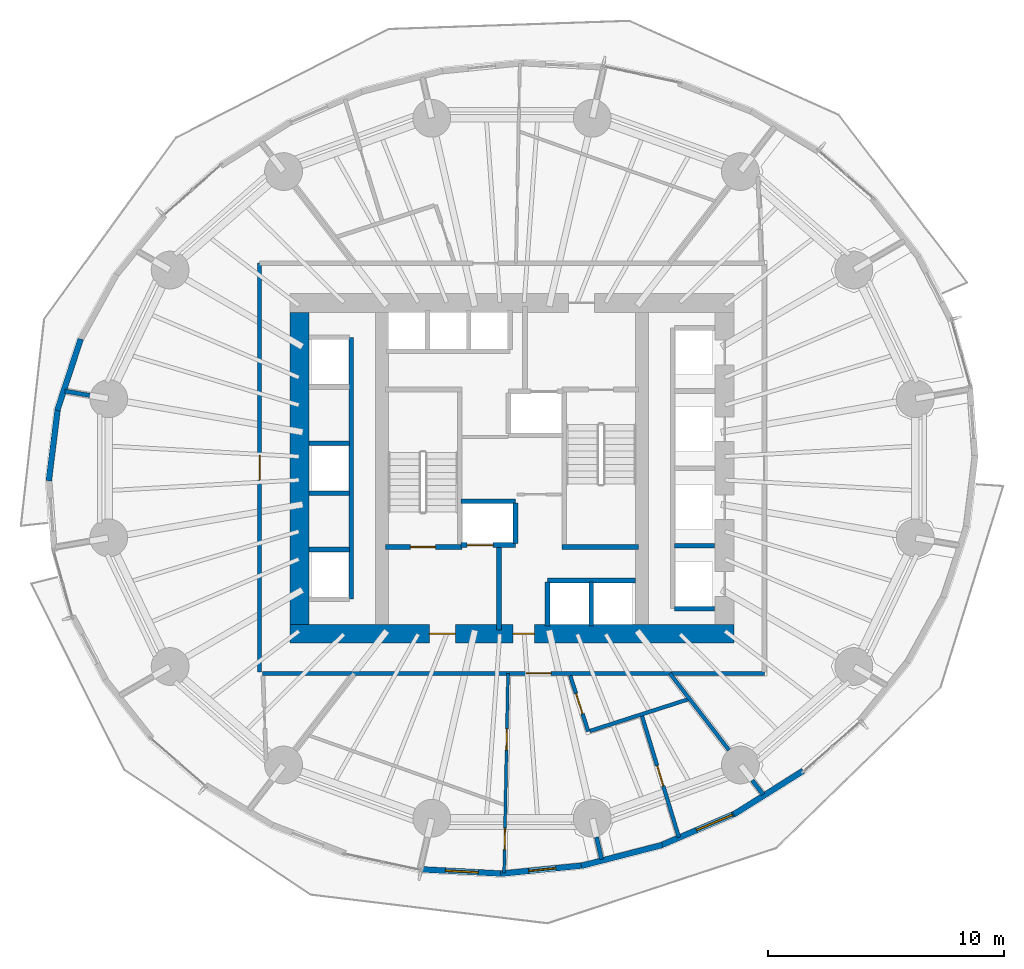
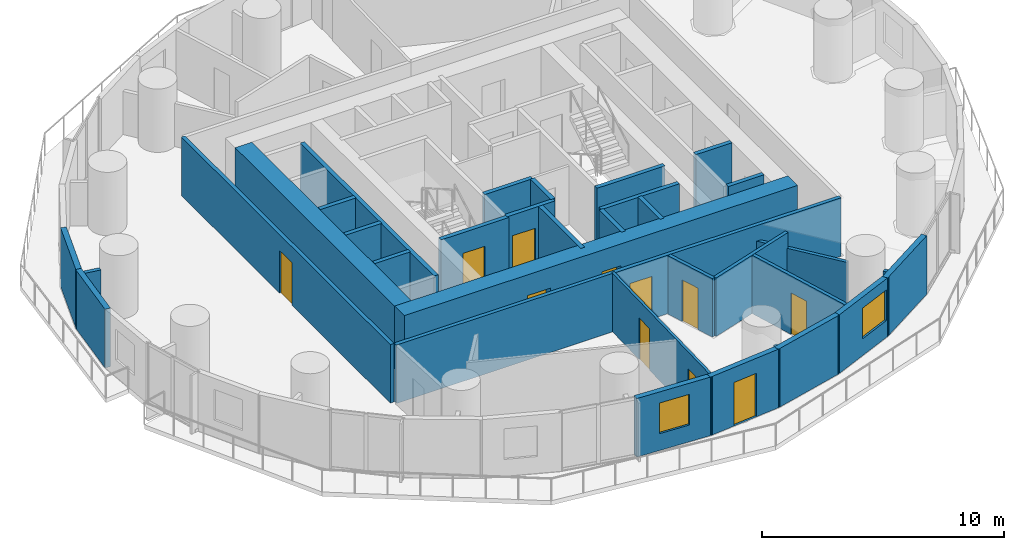
# One storey, part 7 of 13: 34 walls, 11 doors, 2 windows, 13 openings.
"""IFC4 building model written with IfcOpenShell, lengths in metres."""

from ifc_helpers import new_model, si_unit, direction, frame, frame_2d, origin, place, context, subcontext, project, spatial, rectangle, extrude, material, layer, layer_set, type_object, element, fill, save


model = new_model("IFC4")

# Units and contexts
model_context = context("Model", 3, precision=1e-05, world=origin(), true_north=direction((0.0, 1.0)))
body_context = subcontext(model_context, "Body", "Model", "MODEL_VIEW")
ifc_project = project(units=[si_unit("LENGTHUNIT", "METRE"), si_unit("AREAUNIT", "SQUARE_METRE"), si_unit("VOLUMEUNIT", "CUBIC_METRE"), si_unit("PLANEANGLEUNIT", "RADIAN"), si_unit("MASSUNIT", "GRAM", prefix="KILO")], contexts=[model_context])

# Site, building, storey
site_placement = place(None, origin())
site = spatial("IfcSite", under=ifc_project, at=site_placement, CompositionType="ELEMENT")
building_placement = place(site_placement, origin())
building = spatial("IfcBuilding", under=site, at=building_placement, Name="Veldorim Arch Residences", CompositionType="ELEMENT")
storey_placement = place(building_placement, frame((0.0, 0.0, 44.0)))
storey = spatial("IfcBuildingStorey", under=building, at=storey_placement, Name="L12", CompositionType="ELEMENT", Elevation=44.0)

# Wall, openings, doors
ifc_material_1 = material(Name="Acoustic Gypsum Board", Category="gypsum")
ifc_layer_1 = layer(ifc_material_1, 0.125, Name="Acoustic Stud Room Partition Wall 125")
ifc_layer_set_1 = layer_set([ifc_layer_1], Name="Acoustic Gypsum Board")
wall_type_1 = type_object("IfcWallType", Name="Acoustic Stud Room Partition Wall 125", PredefinedType="PARTITIONING", material=ifc_layer_set_1)
wall_1_placement = place(storey_placement, frame((31.6669921875, 6.87060546875, 0.0), z_axis=(0.0, 0.0, 1.0), x_axis=(0.019442133322, 0.999810983862, 0.0)))
wall_1 = element("IfcWall", 1, at=wall_1_placement, inside=storey, type_object=wall_type_1, Name="L12 interior wall WL-RES-L12-008", PredefinedType="PARTITIONING", context=body_context, shape_type="SweptSolid", body=[
    extrude(rectangle(XDim=8.451171875, YDim=0.125, at=frame_2d((4.2255859375, 0.0))), origin(), (0.0, 0.0, 1.0), 2.955078125),
])
opening_1_placement = place(wall_1_placement, frame((0.994384765625, 0.0, 0.0)))
opening_1 = element("IfcOpeningElement", 2, at=opening_1_placement, cuts=wall_1, Name="Opening DR-INT", PredefinedType="OPENING", context=body_context, shape_type="SweptSolid", body=[
    extrude(rectangle(XDim=0.89990234375, YDim=2.10009765625, at=frame_2d((0.449951171875, 1.050048828125))), frame((0.0, 0.072509765625, 0.0), z_axis=(0.0, -1.0, 0.0), x_axis=(1.0, 0.0, 0.0)), (0.0, 0.0, 1.0), 0.14501953125),
])
opening_2_placement = place(wall_1_placement, frame((5.199462890625, 0.0, 0.0)))
opening_2 = element("IfcOpeningElement", 3, at=opening_2_placement, cuts=wall_1, Name="Opening DR-INT", PredefinedType="OPENING", context=body_context, shape_type="SweptSolid", body=[
    extrude(rectangle(XDim=0.89990234375, YDim=2.10009765625, at=frame_2d((0.449951171875, 1.050048828125))), frame((0.0, 0.072509765625, 0.0), z_axis=(0.0, -1.0, 0.0), x_axis=(1.0, 0.0, 0.0)), (0.0, 0.0, 1.0), 0.14501953125),
])
ifc_material_2 = material(Name="Engineered Timber", Category="wood")
door_type_1 = type_object("IfcDoorType", Name="Apartment Internal Room Timber Door 900x2100", OperationType="SINGLE_SWING_LEFT", PredefinedType="DOOR", material=ifc_material_2)
door_1_placement = place(opening_1_placement, origin())
door_1 = element("IfcDoor", 4, at=door_1_placement, inside=storey, type_object=door_type_1, Name="L12 interior door DR-RES-L12-003", OperationType="SINGLE_SWING_LEFT", OverallHeight=2.10009765625, OverallWidth=0.89990234375, PredefinedType="DOOR", context=body_context, shape_type="SweptSolid", body=[
    extrude(rectangle(XDim=0.89990234375, YDim=2.10009765625, at=frame_2d((0.449951171875, 1.050048828125))), frame((0.0, 0.02490234375, 0.0), z_axis=(0.0, -1.0, 0.0), x_axis=(1.0, 0.0, 0.0)), (0.0, 0.0, 1.0), 0.050048828125),
])
fill(opening_1, door_1)
door_2_placement = place(opening_2_placement, origin())
door_2 = element("IfcDoor", 5, at=door_2_placement, inside=storey, type_object=door_type_1, Name="L12 interior door DR-RES-L12-004", OperationType="SINGLE_SWING_RIGHT", OverallHeight=2.10009765625, OverallWidth=0.89990234375, PredefinedType="DOOR", context=body_context, shape_type="SweptSolid", body=[
    extrude(rectangle(XDim=0.89990234375, YDim=2.10009765625, at=frame_2d((0.449951171875, 1.050048828125))), frame((0.0, 0.02490234375, 0.0), z_axis=(0.0, -1.0, 0.0), x_axis=(1.0, 0.0, 0.0)), (0.0, 0.0, 1.0), 0.050048828125),
])
fill(opening_2, door_2)

# Walls
ifc_material_3 = material(Name="Lightweight Masonry Block & Gypsum", Category="masonry")
ifc_layer_2 = layer(ifc_material_3, 0.179931640625, Name="Compartment & Corridor Fire-Rated Party Wall 180")
ifc_layer_set_2 = layer_set([ifc_layer_2], Name="Lightweight Masonry Block & Gypsum")
wall_type_2 = type_object("IfcWallType", Name="Compartment & Corridor Fire-Rated Party Wall 180", PredefinedType="PARTITIONING", material=ifc_layer_set_2)
wall_2_placement = place(storey_placement, frame((14.126220703125, 27.08544921875, 0.0), z_axis=(0.0, 0.0, 1.0), x_axis=(-0.985438853396, 0.170030192076, 0.0)))
element("IfcWall", 6, at=wall_2_placement, inside=storey, type_object=wall_type_2, Name="L12 interior wall WL-PIER-L12-08", PredefinedType="PARTITIONING", context=body_context, shape_type="SweptSolid", body=[
    extrude(rectangle(XDim=1.06103515625, YDim=0.179931640625, at=frame_2d((0.530517578125, 0.0))), origin(), (0.0, 0.0, 1.0), 2.17822265625),
])
wall_3_placement = place(storey_placement, frame((35.577880859375, 8.390869140625, 0.0), z_axis=(0.0, 0.0, 1.0), x_axis=(0.223210471103, -0.974770273239, 0.0)))
element("IfcWall", 7, at=wall_3_placement, inside=storey, type_object=wall_type_2, Name="L12 interior wall WL-PIER-L12-13", PredefinedType="PARTITIONING", context=body_context, shape_type="SweptSolid", body=[
    extrude(rectangle(XDim=0.96240234375, YDim=0.179931640625, at=frame_2d((0.481201171875, 0.0))), origin(), (0.0, 0.0, 1.0), 2.17822265625),
])
wall_4_placement = place(storey_placement, frame((42.167236328125, 10.795166015625, 0.0), z_axis=(0.0, 0.0, 1.0), x_axis=(0.610022678174, -0.792383954982, 0.0)))
element("IfcWall", 8, at=wall_4_placement, inside=storey, type_object=wall_type_2, Name="L12 interior wall WL-PIER-L12-14", PredefinedType="PARTITIONING", context=body_context, shape_type="SweptSolid", body=[
    extrude(rectangle(XDim=0.75634765625, YDim=0.179931640625, at=frame_2d((0.378173828125, 0.0))), origin(), (0.0, 0.0, 1.0), 2.17822265625),
])

# Wall, opening, door
wall_5_placement = place(storey_placement, frame((42.679931640625, 15.320068359375, 0.0), z_axis=(0.0, 0.0, 1.0), x_axis=(-1.0, 0.0, 0.0)))
wall_5 = element("IfcWall", 9, at=wall_5_placement, inside=storey, type_object=wall_type_2, Name="L12 interior wall WL-RES-L12-001", PredefinedType="PARTITIONING", context=body_context, shape_type="SweptSolid", body=[
    extrude(rectangle(XDim=21.240234375, YDim=0.179931640625, at=frame_2d((10.6201171875, 0.0))), origin(), (0.0, 0.0, 1.0), 2.955078125),
])
opening_3_placement = place(wall_5_placement, frame((9.02099609375, 0.0, 0.0)))
opening_3 = element("IfcOpeningElement", 10, at=opening_3_placement, cuts=wall_5, Name="Opening DR-FLT", PredefinedType="OPENING", context=body_context, shape_type="SweptSolid", body=[
    extrude(rectangle(XDim=1.050048828125, YDim=2.14990234375, at=frame_2d((0.52490234375, 1.074951171875))), frame((0.0, 0.099853515625, 0.0), z_axis=(0.0, -1.0, 0.0), x_axis=(1.0, 0.0, 0.0)), (0.0, 0.0, 1.0), 0.199951171875),
])
ifc_material_4 = material(Name="Fire-Rated Timber", Category="wood")
door_type_2 = type_object("IfcDoorType", Name="Apartment Entrance Solid-Core Fire Door 1050x2150", OperationType="SINGLE_SWING_LEFT", PredefinedType="DOOR", material=ifc_material_4)
door_3_placement = place(opening_3_placement, origin())
door_3 = element("IfcDoor", 11, at=door_3_placement, inside=storey, type_object=door_type_2, Name="L12 interior door DR-RES-L12-001", OperationType="SINGLE_SWING_LEFT", OverallHeight=2.14990234375, OverallWidth=1.050048828125, PredefinedType="DOOR", context=body_context, shape_type="SweptSolid", body=[
    extrude(rectangle(XDim=1.050048828125, YDim=2.14990234375, at=frame_2d((0.52490234375, 1.074951171875))), frame((0.0, 0.02490234375, 0.0), z_axis=(0.0, -1.0, 0.0), x_axis=(1.0, 0.0, 0.0)), (0.0, 0.0, 1.0), 0.050048828125),
])
fill(opening_3, door_3)

wall_6_placement = place(storey_placement, frame((21.320068359375, 15.3798828125, 0.0), z_axis=(0.0, 0.0, 1.0), x_axis=(0.0, 1.0, 0.0)))
wall_6 = element("IfcWall", 12, at=wall_6_placement, inside=storey, type_object=wall_type_2, Name="L12 interior wall WL-RES-L12-006", PredefinedType="PARTITIONING", context=body_context, shape_type="SweptSolid", body=[
    extrude(rectangle(XDim=17.300048828125, YDim=0.179931640625, at=frame_2d((8.64990234375, 0.0))), origin(), (0.0, 0.0, 1.0), 2.955078125),
])
opening_4_placement = place(wall_6_placement, frame((8.125, 0.0, 0.0)))
opening_4 = element("IfcOpeningElement", 13, at=opening_4_placement, cuts=wall_6, Name="Opening DR-FLT", PredefinedType="OPENING", context=body_context, shape_type="SweptSolid", body=[
    extrude(rectangle(XDim=1.050048828125, YDim=2.14990234375, at=frame_2d((0.52490234375, 1.074951171875))), frame((0.0, 0.099853515625, 0.0), z_axis=(0.0, -1.0, 0.0), x_axis=(1.0, 0.0, 0.0)), (0.0, 0.0, 1.0), 0.199951171875),
])
door_4_placement = place(opening_4_placement, origin())
door_4 = element("IfcDoor", 14, at=door_4_placement, inside=storey, type_object=door_type_2, Name="L12 interior door DR-RES-L12-013", OperationType="SINGLE_SWING_LEFT", OverallHeight=2.14990234375, OverallWidth=1.050048828125, PredefinedType="DOOR", context=body_context, shape_type="SweptSolid", body=[
    extrude(rectangle(XDim=1.050048828125, YDim=2.14990234375, at=frame_2d((0.52490234375, 1.074951171875))), frame((0.0, 0.02490234375, 0.0), z_axis=(0.0, -1.0, 0.0), x_axis=(1.0, 0.0, 0.0)), (0.0, 0.0, 1.0), 0.050048828125),
])
fill(opening_4, door_4)

ifc_material_5 = material(Name="Concrete C50/60", Category="concrete")
ifc_layer_3 = layer(ifc_material_5, 0.199951171875, Name="Core Stair & Lift Shaft Enclosure Wall 200")
ifc_layer_set_3 = layer_set([ifc_layer_3], Name="Concrete C50/60")
wall_type_3 = type_object("IfcWallType", Name="Core Stair & Lift Shaft Enclosure Wall 200", PredefinedType="SHEAR", material=ifc_layer_set_3)
wall_7_placement = place(storey_placement, frame((26.64990234375, 20.669921875, 0.0), z_axis=(0.0, 0.0, 1.0), x_axis=(1.0, 0.0, 0.0)))
wall_7 = element("IfcWall", 15, at=wall_7_placement, inside=storey, type_object=wall_type_3, Name="L12 shaft wall WL-SHF-L12-ST1-S", PredefinedType="SHEAR", context=body_context, shape_type="SweptSolid", body=[
    extrude(rectangle(XDim=3.239990234375, YDim=0.199951171875, at=frame_2d((1.6201171875, 0.0))), origin(), (0.0, 0.0, 1.0), 3.199951171875),
])
opening_5_placement = place(wall_7_placement, frame((1.054931640625, 0.0, 0.0)))
opening_5 = element("IfcOpeningElement", 16, at=opening_5_placement, cuts=wall_7, Name="Opening DR-ST", PredefinedType="OPENING", context=body_context, shape_type="SweptSolid", body=[
    extrude(rectangle(XDim=1.050048828125, YDim=2.14990234375, at=frame_2d((0.52490234375, 1.074951171875))), frame((0.0, 0.10986328125, 0.0), z_axis=(0.0, -1.0, 0.0), x_axis=(1.0, 0.0, 0.0)), (0.0, 0.0, 1.0), 0.219970703125),
])
ifc_material_6 = material(Name="Fire-Rated Steel", Category="steel")
door_type_3 = type_object("IfcDoorType", Name="Exit Staircase Self-Closing Fire Door 1050x2150", OperationType="SINGLE_SWING_LEFT", PredefinedType="DOOR", material=ifc_material_6)
door_5_placement = place(opening_5_placement, origin())
door_5 = element("IfcDoor", 17, at=door_5_placement, inside=storey, type_object=door_type_3, Name="L12 interior door DR-L12-ST1", OperationType="SINGLE_SWING_LEFT", OverallHeight=2.14990234375, OverallWidth=1.050048828125, PredefinedType="DOOR", context=body_context, shape_type="SweptSolid", body=[
    extrude(rectangle(XDim=1.050048828125, YDim=2.14990234375, at=frame_2d((0.52490234375, 1.074951171875))), frame((0.0, 0.02490234375, 0.0), z_axis=(0.0, -1.0, 0.0), x_axis=(1.0, 0.0, 0.0)), (0.0, 0.0, 1.0), 0.050048828125),
])
fill(opening_5, door_5)

# Walls
wall_8_placement = place(storey_placement, frame((34.110107421875, 20.669921875, 0.0), z_axis=(0.0, 0.0, 1.0), x_axis=(1.0, 0.0, 0.0)))
element("IfcWall", 18, at=wall_8_placement, inside=storey, type_object=wall_type_3, Name="L12 shaft wall WL-SHF-L12-ST2-S", PredefinedType="SHEAR", context=body_context, shape_type="SweptSolid", body=[
    extrude(rectangle(XDim=3.239990234375, YDim=0.199951171875, at=frame_2d((1.6201171875, 0.0))), origin(), (0.0, 0.0, 1.0), 3.199951171875),
])
wall_9_placement = place(storey_placement, frame((31.449951171875, 17.14990234375, 0.0), z_axis=(0.0, 0.0, 1.0), x_axis=(0.0, 1.0, 0.0)))
element("IfcWall", 19, at=wall_9_placement, inside=storey, type_object=wall_type_3, Name="L12 shaft wall WL-FFL1-L12-E", PredefinedType="SHEAR", context=body_context, shape_type="SweptSolid", body=[
    extrude(rectangle(XDim=3.5, YDim=0.199951171875, at=frame_2d((1.75, 0.0))), origin(), (0.0, 0.0, 1.0), 3.199951171875),
])

# Wall, opening, door
wall_10_placement = place(storey_placement, frame((29.85009765625, 20.75, 0.0), z_axis=(0.0, 0.0, 1.0), x_axis=(1.0, 0.0, 0.0)))
wall_10 = element("IfcWall", 20, at=wall_10_placement, inside=storey, type_object=wall_type_3, Name="L12 shaft wall WL-FL01-L12-S", PredefinedType="SHEAR", context=body_context, shape_type="SweptSolid", body=[
    extrude(rectangle(XDim=2.2998046875, YDim=0.199951171875, at=frame_2d((1.14990234375, 0.0))), origin(), (0.0, 0.0, 1.0), 3.199951171875),
])
opening_6_placement = place(wall_10_placement, frame((0.25, 0.0, 0.0)))
opening_6 = element("IfcOpeningElement", 21, at=opening_6_placement, cuts=wall_10, Name="Opening LD-FF", PredefinedType="OPENING", context=body_context, shape_type="SweptSolid", body=[
    extrude(rectangle(XDim=1.10009765625, YDim=2.14990234375, at=frame_2d((0.550048828125, 1.074951171875))), frame((0.0, 0.10986328125, 0.0), z_axis=(0.0, -1.0, 0.0), x_axis=(1.0, 0.0, 0.0)), (0.0, 0.0, 1.0), 0.219970703125),
])
ifc_material_7 = material(Name="Stainless Steel", Category="steel")
door_type_4 = type_object("IfcDoorType", Name="Firefighting Lift Bi-Parting Sliding Landing Door 1100x2150", OperationType="DOUBLE_DOOR_SLIDING", PredefinedType="DOOR", material=ifc_material_7)
door_6_placement = place(opening_6_placement, origin())
door_6 = element("IfcDoor", 22, at=door_6_placement, inside=storey, type_object=door_type_4, Name="L12 lift landing door LD-L12-FL01", OperationType="DOUBLE_DOOR_SLIDING", OverallHeight=2.14990234375, OverallWidth=1.10009765625, PredefinedType="DOOR", context=body_context, shape_type="SweptSolid", body=[
    extrude(rectangle(XDim=1.10009765625, YDim=2.14990234375, at=frame_2d((0.550048828125, 1.074951171875))), frame((0.0, 0.02490234375, 0.0), z_axis=(0.0, -1.0, 0.0), x_axis=(1.0, 0.0, 0.0)), (0.0, 0.0, 1.0), 0.050048828125),
])
fill(opening_6, door_6)

# Walls
wall_11_placement = place(storey_placement, frame((29.85009765625, 22.60009765625, 0.0), z_axis=(0.0, 0.0, 1.0), x_axis=(1.0, 0.0, 0.0)))
element("IfcWall", 23, at=wall_11_placement, inside=storey, type_object=wall_type_3, Name="L12 shaft wall WL-FL01-L12-N", PredefinedType="SHEAR", context=body_context, shape_type="SweptSolid", body=[
    extrude(rectangle(XDim=2.2998046875, YDim=0.199951171875, at=frame_2d((1.14990234375, 0.0))), origin(), (0.0, 0.0, 1.0), 3.199951171875),
])
for number, where, z_axis, x_axis, name in (
    (24, (32.14990234375, 20.820068359375, 0.0), (0.0, 0.0, 1.0), (0.0, 1.0, 0.0), "L12 shaft wall WL-FL01-L12-E"),
    (25, (38.8701171875, 18.06005859375, 0.0), (0.0, 0.0, 1.0), (1.0, 0.0, 0.0), "L12 shaft wall WL-B1-L12-S"),
    (26, (38.8701171875, 20.72509765625, 0.0), (0.0, 0.0, 1.0), (1.0, 0.0, 0.0), "L12 shaft wall WL-B1-L12-D1"),
):
    element("IfcWall", number, at=place(storey_placement, frame(where, z_axis=z_axis, x_axis=x_axis)), inside=storey, type_object=wall_type_3, Name=name, PredefinedType="SHEAR", context=body_context, shape_type="SweptSolid", body=[
        extrude(rectangle(XDim=1.7099609375, YDim=0.199951171875, at=frame_2d((0.85498046875, 0.0))), origin(), (0.0, 0.0, 1.0), 3.199951171875),
    ])
wall_12_placement = place(storey_placement, frame((25.199951171875, 18.4599609375, 0.0), z_axis=(0.0, 0.0, 1.0), x_axis=(0.0, 1.0, 0.0)))
element("IfcWall", 27, at=wall_12_placement, inside=storey, type_object=wall_type_3, Name="L12 shaft wall WL-B2-L12-E", PredefinedType="SHEAR", context=body_context, shape_type="SweptSolid", body=[
    extrude(rectangle(XDim=11.080078125, YDim=0.199951171875, at=frame_2d((5.5400390625, 0.0))), origin(), (0.0, 0.0, 1.0), 3.199951171875),
])
for number, where, z_axis, x_axis, name in (
    (28, (23.419921875, 20.56005859375, 0.0), (0.0, 0.0, 1.0), (1.0, 0.0, 0.0), "L12 shaft wall WL-B2-L12-D1A"),
    (29, (23.419921875, 22.93994140625, 0.0), (0.0, 0.0, 1.0), (1.0, 0.0, 0.0), "L12 shaft wall WL-B2-L12-D1B"),
    (30, (23.419921875, 25.06005859375, 0.0), (0.0, 0.0, 1.0), (1.0, 0.0, 0.0), "L12 shaft wall WL-B2-L12-D2A"),
):
    element("IfcWall", number, at=place(storey_placement, frame(where, z_axis=z_axis, x_axis=x_axis)), inside=storey, type_object=wall_type_3, Name=name, PredefinedType="SHEAR", context=body_context, shape_type="SweptSolid", body=[
        extrude(rectangle(XDim=1.7099609375, YDim=0.199951171875, at=frame_2d((0.85498046875, 0.0))), origin(), (0.0, 0.0, 1.0), 3.199951171875),
    ])
wall_13_placement = place(storey_placement, frame((33.5, 19.25, 0.0), z_axis=(0.0, 0.0, 1.0), x_axis=(1.0, 0.0, 0.0)))
element("IfcWall", 31, at=wall_13_placement, inside=storey, type_object=wall_type_3, Name="L12 shaft wall WL-OL-L12-N", PredefinedType="SHEAR", context=body_context, shape_type="SweptSolid", body=[
    extrude(rectangle(XDim=3.719970703125, YDim=0.199951171875, at=frame_2d((1.85986328125, 0.0))), origin(), (0.0, 0.0, 1.0), 3.199951171875),
])
for number, where, z_axis, x_axis, name in (
    (32, (33.5, 17.320068359375, 0.0), (0.0, 0.0, 1.0), (0.0, 1.0, 0.0), "L12 shaft wall WL-OL-L12-W"),
    (33, (35.35009765625, 17.320068359375, 0.0), (0.0, 0.0, 1.0), (0.0, 1.0, 0.0), "L12 shaft wall WL-OL-L12-D1"),
):
    element("IfcWall", number, at=place(storey_placement, frame(where, z_axis=z_axis, x_axis=x_axis)), inside=storey, type_object=wall_type_3, Name=name, PredefinedType="SHEAR", context=body_context, shape_type="SweptSolid", body=[
        extrude(rectangle(XDim=1.85986328125, YDim=0.199951171875, at=frame_2d((0.929931640625, 0.0))), origin(), (0.0, 0.0, 1.0), 3.199951171875),
    ])

# Wall, openings, doors
ifc_material_8 = material(Name="Concrete C60/75", Category="concrete")
ifc_layer_4 = layer(ifc_material_8, 0.800048828125, Name="Lower Central Core Shear Wall 800")
ifc_layer_set_4 = layer_set([ifc_layer_4], Name="Concrete C60/75")
wall_type_4 = type_object("IfcWallType", Name="Lower Central Core Shear Wall 800", PredefinedType="SHEAR", material=ifc_layer_set_4)
wall_14_placement = place(storey_placement, frame((22.60009765625, 17.0, 0.0), z_axis=(0.0, 0.0, 1.0), x_axis=(1.0, 0.0, 0.0)))
wall_14 = element("IfcWall", 34, at=wall_14_placement, inside=storey, type_object=wall_type_4, Name="L12 central core south shear wall", PredefinedType="SHEAR", context=body_context, shape_type="SweptSolid", body=[
    extrude(rectangle(XDim=18.7998046875, YDim=0.800048828125, at=frame_2d((9.39990234375, 0.0))), origin(), (0.0, 0.0, 1.0), 3.199951171875),
])
opening_7_placement = place(wall_14_placement, frame((5.89990234375, 0.0, 0.0)))
opening_7 = element("IfcOpeningElement", 35, at=opening_7_placement, cuts=wall_14, Name="Opening DR-FFL", PredefinedType="OPENING", context=body_context, shape_type="SweptSolid", body=[
    extrude(rectangle(XDim=1.10009765625, YDim=2.14990234375, at=frame_2d((0.550048828125, 1.074951171875))), frame((0.0, 0.409912109375, 0.0), z_axis=(0.0, -1.0, 0.0), x_axis=(1.0, 0.0, 0.0)), (0.0, 0.0, 1.0), 0.820068359375),
])
opening_8_placement = place(wall_14_placement, frame((9.449951171875, 0.0, 0.0)))
opening_8 = element("IfcOpeningElement", 36, at=opening_8_placement, cuts=wall_14, Name="Opening DR-SVC", PredefinedType="OPENING", context=body_context, shape_type="SweptSolid", body=[
    extrude(rectangle(XDim=0.89990234375, YDim=2.10009765625, at=frame_2d((0.449951171875, 1.050048828125))), frame((0.0, 0.409912109375, 0.0), z_axis=(0.0, -1.0, 0.0), x_axis=(1.0, 0.0, 0.0)), (0.0, 0.0, 1.0), 0.820068359375),
])
ifc_material_9 = material(Name="Fire-Rated Steel & Vision Glass", Category="steel")
door_type_5 = type_object("IfcDoorType", Name="Firefighting Lobby Smoke-Stop Fire Door 1100x2150", OperationType="SINGLE_SWING_LEFT", PredefinedType="DOOR", material=ifc_material_9)
door_7_placement = place(opening_7_placement, origin())
door_7 = element("IfcDoor", 37, at=door_7_placement, inside=storey, type_object=door_type_5, Name="L12 interior door DR-L12-FFL1", OperationType="SINGLE_SWING_RIGHT", OverallHeight=2.14990234375, OverallWidth=1.10009765625, PredefinedType="DOOR", context=body_context, shape_type="SweptSolid", body=[
    extrude(rectangle(XDim=1.10009765625, YDim=2.14990234375, at=frame_2d((0.550048828125, 1.074951171875))), frame((0.0, 0.02490234375, 0.0), z_axis=(0.0, -1.0, 0.0), x_axis=(1.0, 0.0, 0.0)), (0.0, 0.0, 1.0), 0.050048828125),
])
fill(opening_7, door_7)
ifc_material_10 = material(Name="Fire-Rated Steel", Category="steel")
door_type_6 = type_object("IfcDoorType", Name="Riser, Shelter & Plant Room Rated Steel Door 900x2100", OperationType="SINGLE_SWING_LEFT", PredefinedType="DOOR", material=ifc_material_10)
door_8_placement = place(opening_8_placement, origin())
door_8 = element("IfcDoor", 38, at=door_8_placement, inside=storey, type_object=door_type_6, Name="L12 interior door DR-L12-COR-ANC", OperationType="SINGLE_SWING_LEFT", OverallHeight=2.10009765625, OverallWidth=0.89990234375, PredefinedType="DOOR", context=body_context, shape_type="SweptSolid", body=[
    extrude(rectangle(XDim=0.89990234375, YDim=2.10009765625, at=frame_2d((0.449951171875, 1.050048828125))), frame((0.0, 0.02490234375, 0.0), z_axis=(0.0, -1.0, 0.0), x_axis=(1.0, 0.0, 0.0)), (0.0, 0.0, 1.0), 0.050048828125),
])
fill(opening_8, door_8)

# Walls
wall_15_placement = place(storey_placement, frame((23.0, 17.39990234375, 0.0), z_axis=(0.0, 0.0, 1.0), x_axis=(0.0, 1.0, 0.0)))
element("IfcWall", 39, at=wall_15_placement, inside=storey, type_object=wall_type_4, Name="L12 central core west shear wall", PredefinedType="SHEAR", context=body_context, shape_type="SweptSolid", body=[
    extrude(rectangle(XDim=13.2001953125, YDim=0.800048828125, at=frame_2d((6.60009765625, 0.0))), origin(), (0.0, 0.0, 1.0), 3.199951171875),
])
ifc_material_11 = material(Name="Precast concrete C40/50", Category="concrete")
ifc_layer_5 = layer(ifc_material_11, 0.25, Name="Tower Terracotta Spandrel & Pier Wall 250")
ifc_layer_set_5 = layer_set([ifc_layer_5], Name="Precast concrete C40/50")
wall_type_5 = type_object("IfcWallType", Name="Tower Terracotta Spandrel & Pier Wall 250", PredefinedType="SOLIDWALL", material=ifc_layer_set_5)
wall_16_placement = place(storey_placement, frame((12.756591796875, 26.453857421875, 0.0), z_axis=(0.0, 0.0, 1.0), x_axis=(0.31144705651, 0.950263506082, 0.0)))
element("IfcWall", 40, at=wall_16_placement, inside=storey, type_object=wall_type_5, Name="L12 terracotta facade wall 16", PredefinedType="SOLIDWALL", context=body_context, shape_type="SweptSolid", body=[
    extrude(rectangle(XDim=3.174072265625, YDim=0.25, at=frame_2d((1.5869140625, 0.0))), origin(), (0.0, 0.0, 1.0), 2.9599609375),
])
wall_17_placement = place(storey_placement, frame((12.3974609375, 23.4677734375, 0.0), z_axis=(0.0, 0.0, 1.0), x_axis=(0.122985115192, 0.992408515401, 0.0)))
element("IfcWall", 41, at=wall_17_placement, inside=storey, type_object=wall_type_5, Name="L12 terracotta facade wall 17", PredefinedType="SOLIDWALL", context=body_context, shape_type="SweptSolid", body=[
    extrude(rectangle(XDim=3.12060546875, YDim=0.25, at=frame_2d((1.560302734375, 0.0))), origin(), (0.0, 0.0, 1.0), 2.9599609375),
])

# Wall, opening, window
wall_18_placement = place(storey_placement, frame((31.631103515625, 6.843505859375, 0.0), z_axis=(0.0, 0.0, 1.0), x_axis=(-0.99860782827, 0.052748510102, 0.0)))
wall_18 = element("IfcWall", 42, at=wall_18_placement, inside=storey, type_object=wall_type_5, Name="L12 terracotta facade wall 26", PredefinedType="SOLIDWALL", context=body_context, shape_type="SweptSolid", body=[
    extrude(rectangle(XDim=3.512939453125, YDim=0.25, at=frame_2d((1.75634765625, 0.0))), origin(), (0.0, 0.0, 1.0), 2.9599609375),
])
opening_9_placement = place(wall_18_placement, frame((1.055908203125, 0.0, 0.85009765625)))
opening_9 = element("IfcOpeningElement", 43, at=opening_9_placement, cuts=wall_18, Name="Opening WN-02", PredefinedType="OPENING", context=body_context, shape_type="SweptSolid", body=[
    extrude(rectangle(XDim=1.39990234375, YDim=1.550048828125, at=frame_2d((0.699951171875, 0.77490234375))), frame((0.0, 0.135009765625, 0.0), z_axis=(0.0, -1.0, 0.0), x_axis=(1.0, 0.0, 0.0)), (0.0, 0.0, 1.0), 0.27001953125),
])
ifc_material_12 = material(Name="Laminated Low-E Glass", Category="glass")
window_type_1 = type_object("IfcWindowType", Name="Residential Casement Window 1400x1550", PartitioningType="SINGLE_PANEL", PredefinedType="WINDOW", material=ifc_material_12)
window_1_placement = place(opening_9_placement, origin())
window_1 = element("IfcWindow", 44, at=window_1_placement, inside=storey, type_object=window_type_1, Name="L12 solar-control facade window 26", OverallHeight=1.550048828125, OverallWidth=1.39990234375, PartitioningType="SINGLE_PANEL", PredefinedType="WINDOW", context=body_context, shape_type="SweptSolid", body=[
    extrude(rectangle(XDim=1.39990234375, YDim=1.550048828125, at=frame_2d((0.699951171875, 0.77490234375))), frame((0.0, 0.030029296875, 0.0), z_axis=(0.0, -1.0, 0.0), x_axis=(1.0, 0.0, 0.0)), (0.0, 0.0, 1.0), 0.06005859375),
])
fill(opening_9, window_1)

# Wall, opening, door
wall_19_placement = place(storey_placement, frame((35.042724609375, 7.1943359375, 0.0), z_axis=(0.0, 0.0, 1.0), x_axis=(-0.994996115016, -0.099913618207, 0.0)))
wall_19 = element("IfcWall", 45, at=wall_19_placement, inside=storey, type_object=wall_type_5, Name="L12 terracotta facade wall 27", PredefinedType="SOLIDWALL", context=body_context, shape_type="SweptSolid", body=[
    extrude(rectangle(XDim=3.538330078125, YDim=0.25, at=frame_2d((1.76904296875, 0.0))), origin(), (0.0, 0.0, 1.0), 2.9599609375),
])
opening_10_placement = place(wall_19_placement, frame((1.194091796875, 0.0, 0.0)))
opening_10 = element("IfcOpeningElement", 46, at=opening_10_placement, cuts=wall_19, Name="Opening BL-DR", PredefinedType="OPENING", context=body_context, shape_type="SweptSolid", body=[
    extrude(rectangle(XDim=1.14990234375, YDim=2.199951171875, at=frame_2d((0.574951171875, 1.10009765625))), frame((0.0, 0.135009765625, 0.0), z_axis=(0.0, -1.0, 0.0), x_axis=(1.0, 0.0, 0.0)), (0.0, 0.0, 1.0), 0.27001953125),
])
ifc_material_13 = material(Name="Aluminium & Low-E Glass", Category="aluminium")
door_type_7 = type_object("IfcDoorType", Name="Glazed Planted Balcony Door 1150x2200", OperationType="SINGLE_SWING_LEFT", PredefinedType="DOOR", material=ifc_material_13)
door_9_placement = place(opening_10_placement, origin())
door_9 = element("IfcDoor", 47, at=door_9_placement, inside=storey, type_object=door_type_7, Name="L12 glazed outdoor terrace door BALC-2", OperationType="SINGLE_SWING_LEFT", OverallHeight=2.199951171875, OverallWidth=1.14990234375, PredefinedType="DOOR", context=body_context, shape_type="SweptSolid", body=[
    extrude(rectangle(XDim=1.14990234375, YDim=2.199951171875, at=frame_2d((0.574951171875, 1.10009765625))), frame((0.0, 0.02490234375, 0.0), z_axis=(0.0, -1.0, 0.0), x_axis=(1.0, 0.0, 0.0)), (0.0, 0.0, 1.0), 0.050048828125),
])
fill(opening_10, door_9)

# Wall
wall_20_placement = place(storey_placement, frame((38.3623046875, 8.056884765625, 0.0), z_axis=(0.0, 0.0, 1.0), x_axis=(-0.968459637573, -0.249170484594, 0.0)))
element("IfcWall", 48, at=wall_20_placement, inside=storey, type_object=wall_type_5, Name="L12 terracotta facade wall 28", PredefinedType="SOLIDWALL", context=body_context, shape_type="SweptSolid", body=[
    extrude(rectangle(XDim=3.5380859375, YDim=0.25, at=frame_2d((1.76904296875, 0.0))), origin(), (0.0, 0.0, 1.0), 2.9599609375),
])

# Wall, opening, window
wall_21_placement = place(storey_placement, frame((41.488525390625, 9.404541015625, 0.0), z_axis=(0.0, 0.0, 1.0), x_axis=(-0.919263615987, -0.393642482872, 0.0)))
wall_21 = element("IfcWall", 49, at=wall_21_placement, inside=storey, type_object=wall_type_5, Name="L12 terracotta facade wall 29", PredefinedType="SOLIDWALL", context=body_context, shape_type="SweptSolid", body=[
    extrude(rectangle(XDim=3.512939453125, YDim=0.25, at=frame_2d((1.75634765625, 0.0))), origin(), (0.0, 0.0, 1.0), 2.9599609375),
])
opening_11_placement = place(wall_21_placement, frame((0.175048828125, 0.0, 0.85009765625)))
opening_11 = element("IfcOpeningElement", 50, at=opening_11_placement, cuts=wall_21, Name="Opening WN-03", PredefinedType="OPENING", context=body_context, shape_type="SweptSolid", body=[
    extrude(rectangle(XDim=1.64990234375, YDim=1.550048828125, at=frame_2d((0.824951171875, 0.77490234375))), frame((0.0, 0.135009765625, 0.0), z_axis=(0.0, -1.0, 0.0), x_axis=(1.0, 0.0, 0.0)), (0.0, 0.0, 1.0), 0.27001953125),
])
ifc_material_14 = material(Name="Laminated Low-E Glass", Category="glass")
window_type_2 = type_object("IfcWindowType", Name="Residential Wide Window 1650x1550", PartitioningType="SINGLE_PANEL", PredefinedType="WINDOW", material=ifc_material_14)
window_2_placement = place(opening_11_placement, origin())
window_2 = element("IfcWindow", 51, at=window_2_placement, inside=storey, type_object=window_type_2, Name="L12 solar-control facade window 29", OverallHeight=1.550048828125, OverallWidth=1.64990234375, PartitioningType="SINGLE_PANEL", PredefinedType="WINDOW", context=body_context, shape_type="SweptSolid", body=[
    extrude(rectangle(XDim=1.64990234375, YDim=1.550048828125, at=frame_2d((0.824951171875, 0.77490234375))), frame((0.0, 0.030029296875, 0.0), z_axis=(0.0, -1.0, 0.0), x_axis=(1.0, 0.0, 0.0)), (0.0, 0.0, 1.0), 0.06005859375),
])
fill(opening_11, window_2)

# Wall
wall_22_placement = place(storey_placement, frame((44.325927734375, 11.19677734375, 0.0), z_axis=(0.0, 0.0, 1.0), x_axis=(-0.846852351865, -0.531828068215, 0.0)))
element("IfcWall", 52, at=wall_22_placement, inside=storey, type_object=wall_type_5, Name="L12 terracotta facade wall 30", PredefinedType="SOLIDWALL", context=body_context, shape_type="SweptSolid", body=[
    extrude(rectangle(XDim=3.465087890625, YDim=0.25, at=frame_2d((1.732421875, 0.0))), origin(), (0.0, 0.0, 1.0), 2.9599609375),
])

# Wall, opening, door
ifc_material_15 = material(Name="Moisture-Resistant Gypsum & Stud", Category="gypsum")
ifc_layer_6 = layer(ifc_material_15, 0.159912109375, Name="Wet-Area Moisture-Resistant Plumbing Wall 160")
ifc_layer_set_6 = layer_set([ifc_layer_6], Name="Moisture-Resistant Gypsum & Stud")
wall_type_6 = type_object("IfcWallType", Name="Wet-Area Moisture-Resistant Plumbing Wall 160", PredefinedType="PLUMBINGWALL", material=ifc_layer_set_6)
wall_23_placement = place(storey_placement, frame((37.480712890625, 13.5859375, 0.0), z_axis=(0.0, 0.0, 1.0), x_axis=(0.291381320828, -0.956606986109, 0.0)))
wall_23 = element("IfcWall", 53, at=wall_23_placement, inside=storey, type_object=wall_type_6, Name="L12 interior wall WL-RES-L12-007", PredefinedType="PLUMBINGWALL", context=body_context, shape_type="SweptSolid", body=[
    extrude(rectangle(XDim=5.438720703125, YDim=0.159912109375, at=frame_2d((2.71923828125, 0.0))), origin(), (0.0, 0.0, 1.0), 2.955078125),
])
opening_12_placement = place(wall_23_placement, frame((2.269287109375, 0.0, 0.0)))
opening_12 = element("IfcOpeningElement", 54, at=opening_12_placement, cuts=wall_23, Name="Opening DR-WC", PredefinedType="OPENING", context=body_context, shape_type="SweptSolid", body=[
    extrude(rectangle(XDim=0.89990234375, YDim=2.10009765625, at=frame_2d((0.449951171875, 1.050048828125))), frame((0.0, 0.08984375, 0.0), z_axis=(0.0, -1.0, 0.0), x_axis=(1.0, 0.0, 0.0)), (0.0, 0.0, 1.0), 0.179931640625),
])
ifc_material_16 = material(Name="Laminate Timber", Category="wood")
door_type_8 = type_object("IfcDoorType", Name="Bathroom & Accessible WC Moisture-Sealed Door 900x2100", OperationType="SINGLE_SWING_LEFT", PredefinedType="DOOR", material=ifc_material_16)
door_10_placement = place(opening_12_placement, origin())
door_10 = element("IfcDoor", 55, at=door_10_placement, inside=storey, type_object=door_type_8, Name="L12 interior door DR-RES-L12-002", OperationType="SINGLE_SWING_RIGHT", OverallHeight=2.10009765625, OverallWidth=0.89990234375, PredefinedType="DOOR", context=body_context, shape_type="SweptSolid", body=[
    extrude(rectangle(XDim=0.89990234375, YDim=2.10009765625, at=frame_2d((0.449951171875, 1.050048828125))), frame((0.0, 0.02490234375, 0.0), z_axis=(0.0, -1.0, 0.0), x_axis=(1.0, 0.0, 0.0)), (0.0, 0.0, 1.0), 0.050048828125),
])
fill(opening_12, door_10)

wall_24_placement = place(storey_placement, frame((34.46630859375, 15.224853515625, 0.0), z_axis=(0.0, 0.0, 1.0), x_axis=(0.306778830533, -0.95178083041, 0.0)))
wall_24 = element("IfcWall", 56, at=wall_24_placement, inside=storey, type_object=wall_type_6, Name="L12 interior wall WL-RES-L12-009", PredefinedType="PLUMBINGWALL", context=body_context, shape_type="SweptSolid", body=[
    extrude(rectangle(XDim=2.484619140625, YDim=0.159912109375, at=frame_2d((1.2421875, 0.0))), origin(), (0.0, 0.0, 1.0), 2.955078125),
])
opening_13_placement = place(wall_24_placement, frame((0.792236328125, 0.0, 0.0)))
opening_13 = element("IfcOpeningElement", 57, at=opening_13_placement, cuts=wall_24, Name="Opening DR-INT", PredefinedType="OPENING", context=body_context, shape_type="SweptSolid", body=[
    extrude(rectangle(XDim=0.89990234375, YDim=2.10009765625, at=frame_2d((0.449951171875, 1.050048828125))), frame((0.0, 0.08984375, 0.0), z_axis=(0.0, -1.0, 0.0), x_axis=(1.0, 0.0, 0.0)), (0.0, 0.0, 1.0), 0.179931640625),
])
door_11_placement = place(opening_13_placement, origin())
door_11 = element("IfcDoor", 58, at=door_11_placement, inside=storey, type_object=door_type_1, Name="L12 interior door DR-RES-L12-005", OperationType="SINGLE_SWING_LEFT", OverallHeight=2.10009765625, OverallWidth=0.89990234375, PredefinedType="DOOR", context=body_context, shape_type="SweptSolid", body=[
    extrude(rectangle(XDim=0.89990234375, YDim=2.10009765625, at=frame_2d((0.449951171875, 1.050048828125))), frame((0.0, 0.02490234375, 0.0), z_axis=(0.0, -1.0, 0.0), x_axis=(1.0, 0.0, 0.0)), (0.0, 0.0, 1.0), 0.050048828125),
])
fill(opening_13, door_11)

# Walls
wall_25_placement = place(storey_placement, frame((35.285400390625, 12.87841796875, 0.0), z_axis=(0.0, 0.0, 1.0), x_axis=(0.951790418206, 0.306749082819, 0.0)))
element("IfcWall", 59, at=wall_25_placement, inside=storey, type_object=wall_type_6, Name="L12 interior wall WL-RES-L12-010", PredefinedType="PLUMBINGWALL", context=body_context, shape_type="SweptSolid", body=[
    extrude(rectangle(XDim=4.442626953125, YDim=0.159912109375, at=frame_2d((2.22119140625, 0.0))), origin(), (0.0, 0.0, 1.0), 2.955078125),
])
wall_26_placement = place(storey_placement, frame((38.68310546875, 15.320068359375, 0.0), z_axis=(0.0, 0.0, 1.0), x_axis=(0.61008798772, -0.792333671656, 0.0)))
element("IfcWall", 60, at=wall_26_placement, inside=storey, type_object=wall_type_6, Name="L12 interior wall WL-RES-L12-011", PredefinedType="PLUMBINGWALL", context=body_context, shape_type="SweptSolid", body=[
    extrude(rectangle(XDim=4.0966796875, YDim=0.159912109375, at=frame_2d((2.04833984375, 0.0))), origin(), (0.0, 0.0, 1.0), 2.17822265625),
])

save(model, "model.ifc")
